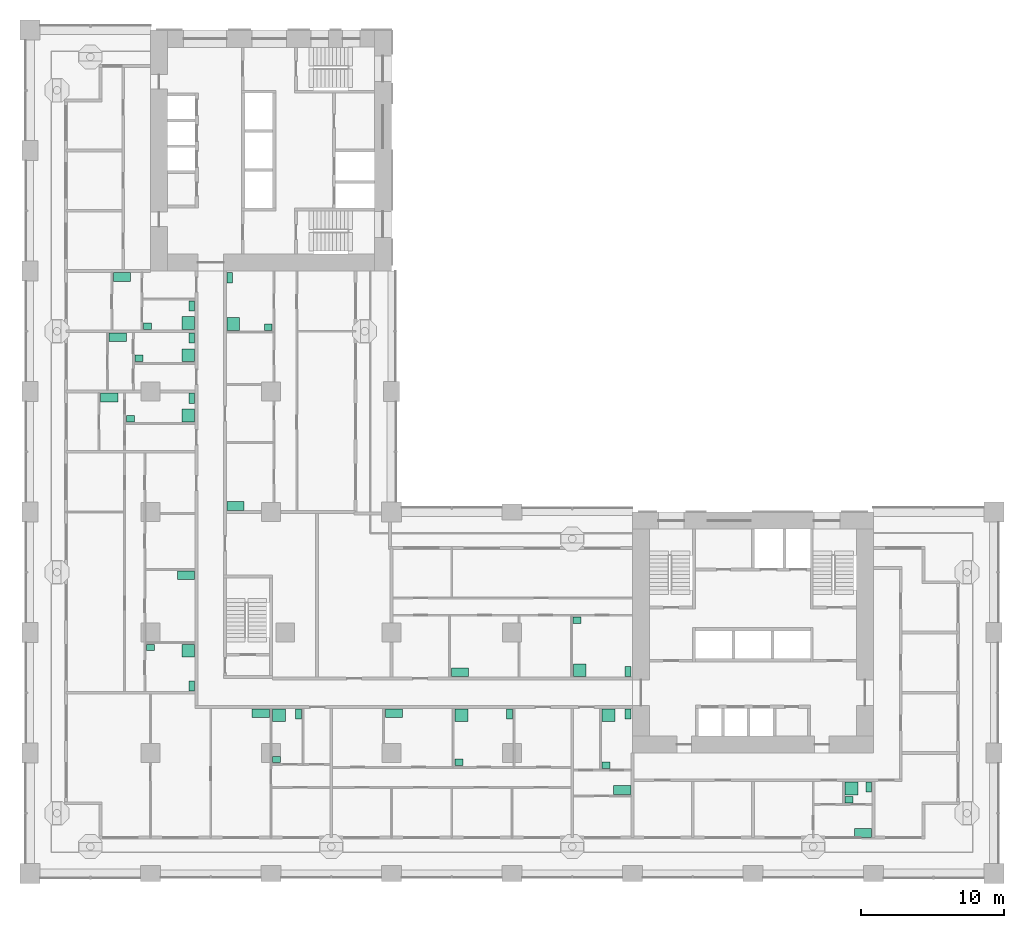
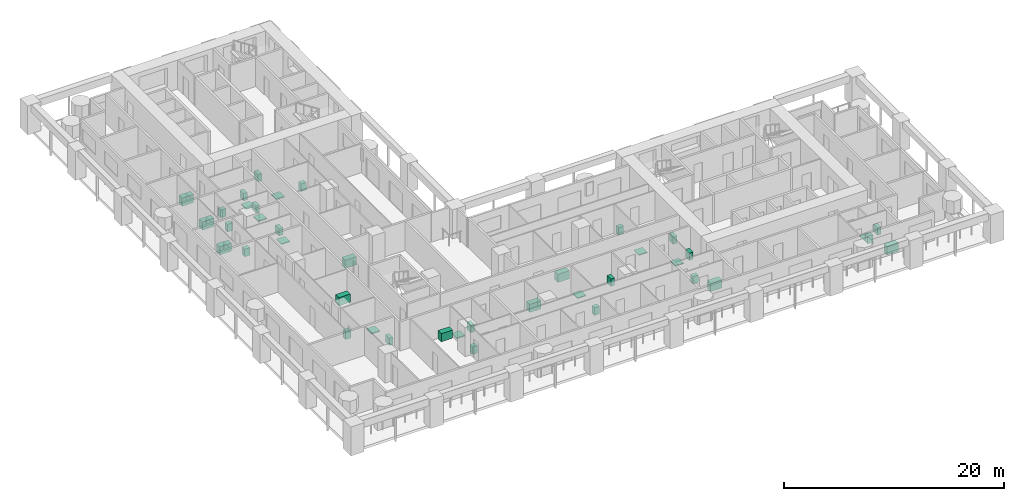
# One storey, part 17 of 19: 40 sanitary terminals.
"""IFC4 building model written with IfcOpenShell, lengths in metres."""

from ifc_helpers import new_model, si_unit, direction, frame, origin, origin_2d, place, context, subcontext, project, spatial, rectangle, extrude, material, element, save


model = new_model("IFC4")

# Units and contexts
model_context = context("Model", 3, precision=1e-05, world=origin(), true_north=direction((0.0, 1.0)))
body_context = subcontext(model_context, "Body", "Model", "MODEL_VIEW")
ifc_project = project(units=[si_unit("LENGTHUNIT", "METRE"), si_unit("AREAUNIT", "SQUARE_METRE"), si_unit("VOLUMEUNIT", "CUBIC_METRE"), si_unit("PLANEANGLEUNIT", "RADIAN"), si_unit("MASSUNIT", "GRAM", prefix="KILO")], contexts=[model_context])

# Site, building, storey
site_placement = place(None, origin())
site = spatial("IfcSite", under=ifc_project, at=site_placement, CompositionType="ELEMENT")
building_placement = place(site_placement, origin())
building = spatial("IfcBuilding", under=site, at=building_placement, Name="Vermilion Gate Residences", CompositionType="ELEMENT")
storey_placement = place(building_placement, frame((0.0, 0.0, 28.699951171875)))
storey = spatial("IfcBuildingStorey", under=building, at=storey_placement, Name="L05", CompositionType="ELEMENT", Elevation=28.699951171875)

# Sanitary terminals
ifc_material_1 = material(Name="Stainless steel", Category="steel")
sanitary_terminal_1_placement = place(storey_placement, frame((16.080078125, 11.179931640625, 0.0), z_axis=(0.0, 0.0, 1.0), x_axis=(1.0, 0.0, 0.0)))
element("IfcSanitaryTerminal", 1, at=sanitary_terminal_1_placement, inside=storey, material=ifc_material_1, Name="Kitchen sink", PredefinedType="SINK", context=body_context, shape_type="SweptSolid", body=[
    extrude(rectangle(XDim=1.199951171875, YDim=0.60009765625, at=origin_2d()), origin(), (0.0, 0.0, 1.0), 0.89990234375),
])
ifc_material_2 = material(Name="Vitreous china")
sanitary_terminal_2_placement = place(storey_placement, frame((17.3701171875, 11.030029296875, 0.0), z_axis=(0.0, 0.0, 1.0), x_axis=(1.0, 0.0, 0.0)))
element("IfcSanitaryTerminal", 2, at=sanitary_terminal_2_placement, inside=storey, material=ifc_material_2, Name="Shower tray", PredefinedType="SHOWER", context=body_context, shape_type="SweptSolid", body=[
    extrude(rectangle(XDim=0.89990234375, YDim=0.89990234375, at=origin_2d()), origin(), (0.0, 0.0, 1.0), 0.10009765625),
])
sanitary_terminal_3_placement = place(storey_placement, frame((18.719970703125, 11.1298828125, 0.0), z_axis=(0.0, 0.0, 1.0), x_axis=(1.0, 0.0, 0.0)))
element("IfcSanitaryTerminal", 3, at=sanitary_terminal_3_placement, inside=storey, material=ifc_material_2, Name="Toilet", PredefinedType="TOILETPAN", context=body_context, shape_type="SweptSolid", body=[
    extrude(rectangle(XDim=0.39990234375, YDim=0.699951171875, at=origin_2d()), origin(), (0.0, 0.0, 1.0), 0.800048828125),
])
sanitary_terminal_4_placement = place(storey_placement, frame((17.195068359375, 7.945068359375, 0.0), z_axis=(0.0, 0.0, 1.0), x_axis=(1.0, 0.0, 0.0)))
element("IfcSanitaryTerminal", 4, at=sanitary_terminal_4_placement, inside=storey, material=ifc_material_2, Name="Wash basin", PredefinedType="WASHHANDBASIN", context=body_context, shape_type="SweptSolid", body=[
    extrude(rectangle(XDim=0.550048828125, YDim=0.449951171875, at=origin_2d()), origin(), (0.0, 0.0, 1.0), 0.85009765625),
])
sanitary_terminal_5_placement = place(storey_placement, frame((25.3701171875, 11.179931640625, 0.0), z_axis=(0.0, 0.0, 1.0), x_axis=(1.0, 0.0, 0.0)))
element("IfcSanitaryTerminal", 5, at=sanitary_terminal_5_placement, inside=storey, material=ifc_material_1, Name="Kitchen sink", PredefinedType="SINK", context=body_context, shape_type="SweptSolid", body=[
    extrude(rectangle(XDim=1.199951171875, YDim=0.60009765625, at=origin_2d()), origin(), (0.0, 0.0, 1.0), 0.89990234375),
])
sanitary_terminal_6_placement = place(storey_placement, frame((30.070068359375, 11.030029296875, 0.0), z_axis=(0.0, 0.0, 1.0), x_axis=(1.0, 0.0, 0.0)))
element("IfcSanitaryTerminal", 6, at=sanitary_terminal_6_placement, inside=storey, material=ifc_material_2, Name="Shower tray", PredefinedType="SHOWER", context=body_context, shape_type="SweptSolid", body=[
    extrude(rectangle(XDim=0.89990234375, YDim=0.89990234375, at=origin_2d()), origin(), (0.0, 0.0, 1.0), 0.10009765625),
])
sanitary_terminal_7_placement = place(storey_placement, frame((33.429931640625, 11.1298828125, 0.0), z_axis=(0.0, 0.0, 1.0), x_axis=(1.0, 0.0, 0.0)))
element("IfcSanitaryTerminal", 7, at=sanitary_terminal_7_placement, inside=storey, material=ifc_material_2, Name="Toilet", PredefinedType="TOILETPAN", context=body_context, shape_type="SweptSolid", body=[
    extrude(rectangle(XDim=0.39990234375, YDim=0.699951171875, at=origin_2d()), origin(), (0.0, 0.0, 1.0), 0.800048828125),
])
sanitary_terminal_8_placement = place(storey_placement, frame((29.89501953125, 7.7451171875, 0.0), z_axis=(0.0, 0.0, 1.0), x_axis=(1.0, 0.0, 0.0)))
element("IfcSanitaryTerminal", 8, at=sanitary_terminal_8_placement, inside=storey, material=ifc_material_2, Name="Wash basin", PredefinedType="WASHHANDBASIN", context=body_context, shape_type="SweptSolid", body=[
    extrude(rectangle(XDim=0.550048828125, YDim=0.449951171875, at=origin_2d()), origin(), (0.0, 0.0, 1.0), 0.85009765625),
])
sanitary_terminal_9_placement = place(storey_placement, frame((41.280029296875, 5.820068359375, 0.0), z_axis=(0.0, 0.0, 1.0), x_axis=(1.0, 0.0, 0.0)))
element("IfcSanitaryTerminal", 9, at=sanitary_terminal_9_placement, inside=storey, material=ifc_material_1, Name="Kitchen sink", PredefinedType="SINK", context=body_context, shape_type="SweptSolid", body=[
    extrude(rectangle(XDim=1.199951171875, YDim=0.60009765625, at=origin_2d()), origin(), (0.0, 0.0, 1.0), 0.89990234375),
])
sanitary_terminal_10_placement = place(storey_placement, frame((40.330078125, 11.030029296875, 0.0), z_axis=(0.0, 0.0, 1.0), x_axis=(1.0, 0.0, 0.0)))
element("IfcSanitaryTerminal", 10, at=sanitary_terminal_10_placement, inside=storey, material=ifc_material_2, Name="Shower tray", PredefinedType="SHOWER", context=body_context, shape_type="SweptSolid", body=[
    extrude(rectangle(XDim=0.89990234375, YDim=0.89990234375, at=origin_2d()), origin(), (0.0, 0.0, 1.0), 0.10009765625),
])
sanitary_terminal_11_placement = place(storey_placement, frame((41.679931640625, 11.1298828125, 0.0), z_axis=(0.0, 0.0, 1.0), x_axis=(1.0, 0.0, 0.0)))
element("IfcSanitaryTerminal", 11, at=sanitary_terminal_11_placement, inside=storey, material=ifc_material_2, Name="Toilet", PredefinedType="TOILETPAN", context=body_context, shape_type="SweptSolid", body=[
    extrude(rectangle(XDim=0.39990234375, YDim=0.699951171875, at=origin_2d()), origin(), (0.0, 0.0, 1.0), 0.800048828125),
])
sanitary_terminal_12_placement = place(storey_placement, frame((40.155029296875, 7.544921875, 0.0), z_axis=(0.0, 0.0, 1.0), x_axis=(1.0, 0.0, 0.0)))
element("IfcSanitaryTerminal", 12, at=sanitary_terminal_12_placement, inside=storey, material=ifc_material_2, Name="Wash basin", PredefinedType="WASHHANDBASIN", context=body_context, shape_type="SweptSolid", body=[
    extrude(rectangle(XDim=0.550048828125, YDim=0.449951171875, at=origin_2d()), origin(), (0.0, 0.0, 1.0), 0.85009765625),
])
sanitary_terminal_13_placement = place(storey_placement, frame((29.969970703125, 14.02001953125, 0.0), z_axis=(0.0, 0.0, 1.0), x_axis=(1.0, 0.0, 0.0)))
element("IfcSanitaryTerminal", 13, at=sanitary_terminal_13_placement, inside=storey, material=ifc_material_1, Name="Kitchen sink", PredefinedType="SINK", context=body_context, shape_type="SweptSolid", body=[
    extrude(rectangle(XDim=1.199951171875, YDim=0.60009765625, at=origin_2d()), origin(), (0.0, 0.0, 1.0), 0.89990234375),
])
sanitary_terminal_14_placement = place(storey_placement, frame((38.320068359375, 14.169921875, 0.0), z_axis=(0.0, 0.0, 1.0), x_axis=(1.0, 0.0, 0.0)))
element("IfcSanitaryTerminal", 14, at=sanitary_terminal_14_placement, inside=storey, material=ifc_material_2, Name="Shower tray", PredefinedType="SHOWER", context=body_context, shape_type="SweptSolid", body=[
    extrude(rectangle(XDim=0.89990234375, YDim=0.89990234375, at=origin_2d()), origin(), (0.0, 0.0, 1.0), 0.10009765625),
])
sanitary_terminal_15_placement = place(storey_placement, frame((41.679931640625, 14.070068359375, 0.0), z_axis=(0.0, 0.0, 1.0), x_axis=(1.0, 0.0, 0.0)))
element("IfcSanitaryTerminal", 15, at=sanitary_terminal_15_placement, inside=storey, material=ifc_material_2, Name="Toilet", PredefinedType="TOILETPAN", context=body_context, shape_type="SweptSolid", body=[
    extrude(rectangle(XDim=0.39990234375, YDim=0.699951171875, at=origin_2d()), origin(), (0.0, 0.0, 1.0), 0.800048828125),
])
sanitary_terminal_16_placement = place(storey_placement, frame((38.14501953125, 17.655029296875, 0.0), z_axis=(0.0, 0.0, 1.0), x_axis=(1.0, 0.0, 0.0)))
element("IfcSanitaryTerminal", 16, at=sanitary_terminal_16_placement, inside=storey, material=ifc_material_2, Name="Wash basin", PredefinedType="WASHHANDBASIN", context=body_context, shape_type="SweptSolid", body=[
    extrude(rectangle(XDim=0.550048828125, YDim=0.449951171875, at=origin_2d()), origin(), (0.0, 0.0, 1.0), 0.85009765625),
])
sanitary_terminal_17_placement = place(storey_placement, frame((11.030029296875, 15.530029296875, 0.0), z_axis=(0.0, 0.0, 1.0), x_axis=(1.0, 0.0, 0.0)))
element("IfcSanitaryTerminal", 17, at=sanitary_terminal_17_placement, inside=storey, material=ifc_material_2, Name="Shower tray", PredefinedType="SHOWER", context=body_context, shape_type="SweptSolid", body=[
    extrude(rectangle(XDim=0.89990234375, YDim=0.89990234375, at=origin_2d()), origin(), (0.0, 0.0, 1.0), 0.10009765625),
])
sanitary_terminal_18_placement = place(storey_placement, frame((11.280029296875, 13.070068359375, 0.0), z_axis=(0.0, 0.0, 1.0), x_axis=(1.0, 0.0, 0.0)))
element("IfcSanitaryTerminal", 18, at=sanitary_terminal_18_placement, inside=storey, material=ifc_material_2, Name="Toilet", PredefinedType="TOILETPAN", context=body_context, shape_type="SweptSolid", body=[
    extrude(rectangle(XDim=0.39990234375, YDim=0.699951171875, at=origin_2d()), origin(), (0.0, 0.0, 1.0), 0.800048828125),
])
sanitary_terminal_19_placement = place(storey_placement, frame((8.39501953125, 15.7548828125, 0.0), z_axis=(0.0, 0.0, 1.0), x_axis=(1.0, 0.0, 0.0)))
element("IfcSanitaryTerminal", 19, at=sanitary_terminal_19_placement, inside=storey, material=ifc_material_2, Name="Wash basin", PredefinedType="WASHHANDBASIN", context=body_context, shape_type="SweptSolid", body=[
    extrude(rectangle(XDim=0.550048828125, YDim=0.449951171875, at=origin_2d()), origin(), (0.0, 0.0, 1.0), 0.85009765625),
])
for number, where, z_axis, x_axis, name in (
    (20, (10.8798828125, 20.780029296875, 0.0), (0.0, 0.0, 1.0), (1.0, 0.0, 0.0), "Kitchen sink"),
    (21, (5.52001953125, 33.179931640625, 0.0), (0.0, 0.0, 1.0), (1.0, 0.0, 0.0), "Kitchen sink"),
):
    element("IfcSanitaryTerminal", number, at=place(storey_placement, frame(where, z_axis=z_axis, x_axis=x_axis)), inside=storey, material=ifc_material_1, Name=name, PredefinedType="SINK", context=body_context, shape_type="SweptSolid", body=[
        extrude(rectangle(XDim=1.199951171875, YDim=0.60009765625, at=origin_2d()), origin(), (0.0, 0.0, 1.0), 0.89990234375),
    ])
sanitary_terminal_20_placement = place(storey_placement, frame((11.030029296875, 31.929931640625, 0.0), z_axis=(0.0, 0.0, 1.0), x_axis=(1.0, 0.0, 0.0)))
element("IfcSanitaryTerminal", 22, at=sanitary_terminal_20_placement, inside=storey, material=ifc_material_2, Name="Shower tray", PredefinedType="SHOWER", context=body_context, shape_type="SweptSolid", body=[
    extrude(rectangle(XDim=0.89990234375, YDim=0.89990234375, at=origin_2d()), origin(), (0.0, 0.0, 1.0), 0.10009765625),
])
sanitary_terminal_21_placement = place(storey_placement, frame((11.280029296875, 33.1298828125, 0.0), z_axis=(0.0, 0.0, 1.0), x_axis=(1.0, 0.0, 0.0)))
element("IfcSanitaryTerminal", 23, at=sanitary_terminal_21_placement, inside=storey, material=ifc_material_2, Name="Toilet", PredefinedType="TOILETPAN", context=body_context, shape_type="SweptSolid", body=[
    extrude(rectangle(XDim=0.39990234375, YDim=0.699951171875, at=origin_2d()), origin(), (0.0, 0.0, 1.0), 0.800048828125),
])
sanitary_terminal_22_placement = place(storey_placement, frame((6.9951171875, 31.705078125, 0.0), z_axis=(0.0, 0.0, 1.0), x_axis=(1.0, 0.0, 0.0)))
element("IfcSanitaryTerminal", 24, at=sanitary_terminal_22_placement, inside=storey, material=ifc_material_2, Name="Wash basin", PredefinedType="WASHHANDBASIN", context=body_context, shape_type="SweptSolid", body=[
    extrude(rectangle(XDim=0.550048828125, YDim=0.449951171875, at=origin_2d()), origin(), (0.0, 0.0, 1.0), 0.85009765625),
])
sanitary_terminal_23_placement = place(storey_placement, frame((6.1201171875, 37.3798828125, 0.0), z_axis=(0.0, 0.0, 1.0), x_axis=(1.0, 0.0, 0.0)))
element("IfcSanitaryTerminal", 25, at=sanitary_terminal_23_placement, inside=storey, material=ifc_material_1, Name="Kitchen sink", PredefinedType="SINK", context=body_context, shape_type="SweptSolid", body=[
    extrude(rectangle(XDim=1.199951171875, YDim=0.60009765625, at=origin_2d()), origin(), (0.0, 0.0, 1.0), 0.89990234375),
])
sanitary_terminal_24_placement = place(storey_placement, frame((11.030029296875, 36.1298828125, 0.0), z_axis=(0.0, 0.0, 1.0), x_axis=(1.0, 0.0, 0.0)))
element("IfcSanitaryTerminal", 26, at=sanitary_terminal_24_placement, inside=storey, material=ifc_material_2, Name="Shower tray", PredefinedType="SHOWER", context=body_context, shape_type="SweptSolid", body=[
    extrude(rectangle(XDim=0.89990234375, YDim=0.89990234375, at=origin_2d()), origin(), (0.0, 0.0, 1.0), 0.10009765625),
])
sanitary_terminal_25_placement = place(storey_placement, frame((11.280029296875, 37.330078125, 0.0), z_axis=(0.0, 0.0, 1.0), x_axis=(1.0, 0.0, 0.0)))
element("IfcSanitaryTerminal", 27, at=sanitary_terminal_25_placement, inside=storey, material=ifc_material_2, Name="Toilet", PredefinedType="TOILETPAN", context=body_context, shape_type="SweptSolid", body=[
    extrude(rectangle(XDim=0.39990234375, YDim=0.699951171875, at=origin_2d()), origin(), (0.0, 0.0, 1.0), 0.800048828125),
])
sanitary_terminal_26_placement = place(storey_placement, frame((7.594970703125, 35.905029296875, 0.0), z_axis=(0.0, 0.0, 1.0), x_axis=(1.0, 0.0, 0.0)))
element("IfcSanitaryTerminal", 28, at=sanitary_terminal_26_placement, inside=storey, material=ifc_material_2, Name="Wash basin", PredefinedType="WASHHANDBASIN", context=body_context, shape_type="SweptSolid", body=[
    extrude(rectangle(XDim=0.550048828125, YDim=0.449951171875, at=origin_2d()), origin(), (0.0, 0.0, 1.0), 0.85009765625),
])
sanitary_terminal_27_placement = place(storey_placement, frame((6.419921875, 41.580078125, 0.0), z_axis=(0.0, 0.0, 1.0), x_axis=(1.0, 0.0, 0.0)))
element("IfcSanitaryTerminal", 29, at=sanitary_terminal_27_placement, inside=storey, material=ifc_material_1, Name="Kitchen sink", PredefinedType="SINK", context=body_context, shape_type="SweptSolid", body=[
    extrude(rectangle(XDim=1.199951171875, YDim=0.60009765625, at=origin_2d()), origin(), (0.0, 0.0, 1.0), 0.89990234375),
])
sanitary_terminal_28_placement = place(storey_placement, frame((11.030029296875, 38.3701171875, 0.0), z_axis=(0.0, 0.0, 1.0), x_axis=(1.0, 0.0, 0.0)))
element("IfcSanitaryTerminal", 30, at=sanitary_terminal_28_placement, inside=storey, material=ifc_material_2, Name="Shower tray", PredefinedType="SHOWER", context=body_context, shape_type="SweptSolid", body=[
    extrude(rectangle(XDim=0.89990234375, YDim=0.89990234375, at=origin_2d()), origin(), (0.0, 0.0, 1.0), 0.10009765625),
])
sanitary_terminal_29_placement = place(storey_placement, frame((11.280029296875, 39.570068359375, 0.0), z_axis=(0.0, 0.0, 1.0), x_axis=(1.0, 0.0, 0.0)))
element("IfcSanitaryTerminal", 31, at=sanitary_terminal_29_placement, inside=storey, material=ifc_material_2, Name="Toilet", PredefinedType="TOILETPAN", context=body_context, shape_type="SweptSolid", body=[
    extrude(rectangle(XDim=0.39990234375, YDim=0.699951171875, at=origin_2d()), origin(), (0.0, 0.0, 1.0), 0.800048828125),
])
sanitary_terminal_30_placement = place(storey_placement, frame((8.195068359375, 38.14501953125, 0.0), z_axis=(0.0, 0.0, 1.0), x_axis=(1.0, 0.0, 0.0)))
element("IfcSanitaryTerminal", 32, at=sanitary_terminal_30_placement, inside=storey, material=ifc_material_2, Name="Wash basin", PredefinedType="WASHHANDBASIN", context=body_context, shape_type="SweptSolid", body=[
    extrude(rectangle(XDim=0.550048828125, YDim=0.449951171875, at=origin_2d()), origin(), (0.0, 0.0, 1.0), 0.85009765625),
])
sanitary_terminal_31_placement = place(storey_placement, frame((14.320068359375, 25.6201171875, 0.0), z_axis=(0.0, 0.0, 1.0), x_axis=(1.0, 0.0, 0.0)))
element("IfcSanitaryTerminal", 33, at=sanitary_terminal_31_placement, inside=storey, material=ifc_material_1, Name="Kitchen sink", PredefinedType="SINK", context=body_context, shape_type="SweptSolid", body=[
    extrude(rectangle(XDim=1.199951171875, YDim=0.60009765625, at=origin_2d()), origin(), (0.0, 0.0, 1.0), 0.89990234375),
])
sanitary_terminal_32_placement = place(storey_placement, frame((14.169921875, 38.320068359375, 0.0), z_axis=(0.0, 0.0, 1.0), x_axis=(1.0, 0.0, 0.0)))
element("IfcSanitaryTerminal", 34, at=sanitary_terminal_32_placement, inside=storey, material=ifc_material_2, Name="Shower tray", PredefinedType="SHOWER", context=body_context, shape_type="SweptSolid", body=[
    extrude(rectangle(XDim=0.89990234375, YDim=0.89990234375, at=origin_2d()), origin(), (0.0, 0.0, 1.0), 0.10009765625),
])
sanitary_terminal_33_placement = place(storey_placement, frame((13.919921875, 41.530029296875, 0.0), z_axis=(0.0, 0.0, 1.0), x_axis=(1.0, 0.0, 0.0)))
element("IfcSanitaryTerminal", 35, at=sanitary_terminal_33_placement, inside=storey, material=ifc_material_2, Name="Toilet", PredefinedType="TOILETPAN", context=body_context, shape_type="SweptSolid", body=[
    extrude(rectangle(XDim=0.39990234375, YDim=0.699951171875, at=origin_2d()), origin(), (0.0, 0.0, 1.0), 0.800048828125),
])
sanitary_terminal_34_placement = place(storey_placement, frame((16.60498046875, 38.094970703125, 0.0), z_axis=(0.0, 0.0, 1.0), x_axis=(1.0, 0.0, 0.0)))
element("IfcSanitaryTerminal", 36, at=sanitary_terminal_34_placement, inside=storey, material=ifc_material_2, Name="Wash basin", PredefinedType="WASHHANDBASIN", context=body_context, shape_type="SweptSolid", body=[
    extrude(rectangle(XDim=0.550048828125, YDim=0.449951171875, at=origin_2d()), origin(), (0.0, 0.0, 1.0), 0.85009765625),
])
sanitary_terminal_35_placement = place(storey_placement, frame((58.080078125, 2.820068359375, 0.0), z_axis=(0.0, 0.0, 1.0), x_axis=(1.0, 0.0, 0.0)))
element("IfcSanitaryTerminal", 37, at=sanitary_terminal_35_placement, inside=storey, material=ifc_material_1, Name="Kitchen sink", PredefinedType="SINK", context=body_context, shape_type="SweptSolid", body=[
    extrude(rectangle(XDim=1.199951171875, YDim=0.60009765625, at=origin_2d()), origin(), (0.0, 0.0, 1.0), 0.89990234375),
])
sanitary_terminal_36_placement = place(storey_placement, frame((57.27001953125, 5.929931640625, 0.0), z_axis=(0.0, 0.0, 1.0), x_axis=(1.0, 0.0, 0.0)))
element("IfcSanitaryTerminal", 38, at=sanitary_terminal_36_placement, inside=storey, material=ifc_material_2, Name="Shower tray", PredefinedType="SHOWER", context=body_context, shape_type="SweptSolid", body=[
    extrude(rectangle(XDim=0.89990234375, YDim=0.89990234375, at=origin_2d()), origin(), (0.0, 0.0, 1.0), 0.10009765625),
])
sanitary_terminal_37_placement = place(storey_placement, frame((58.47998046875, 6.030029296875, 0.0), z_axis=(0.0, 0.0, 1.0), x_axis=(1.0, 0.0, 0.0)))
element("IfcSanitaryTerminal", 39, at=sanitary_terminal_37_placement, inside=storey, material=ifc_material_2, Name="Toilet", PredefinedType="TOILETPAN", context=body_context, shape_type="SweptSolid", body=[
    extrude(rectangle(XDim=0.39990234375, YDim=0.699951171875, at=origin_2d()), origin(), (0.0, 0.0, 1.0), 0.800048828125),
])
sanitary_terminal_38_placement = place(storey_placement, frame((57.094970703125, 5.14501953125, 0.0), z_axis=(0.0, 0.0, 1.0), x_axis=(1.0, 0.0, 0.0)))
element("IfcSanitaryTerminal", 40, at=sanitary_terminal_38_placement, inside=storey, material=ifc_material_2, Name="Wash basin", PredefinedType="WASHHANDBASIN", context=body_context, shape_type="SweptSolid", body=[
    extrude(rectangle(XDim=0.550048828125, YDim=0.449951171875, at=origin_2d()), origin(), (0.0, 0.0, 1.0), 0.85009765625),
])

save(model, "model.ifc")
